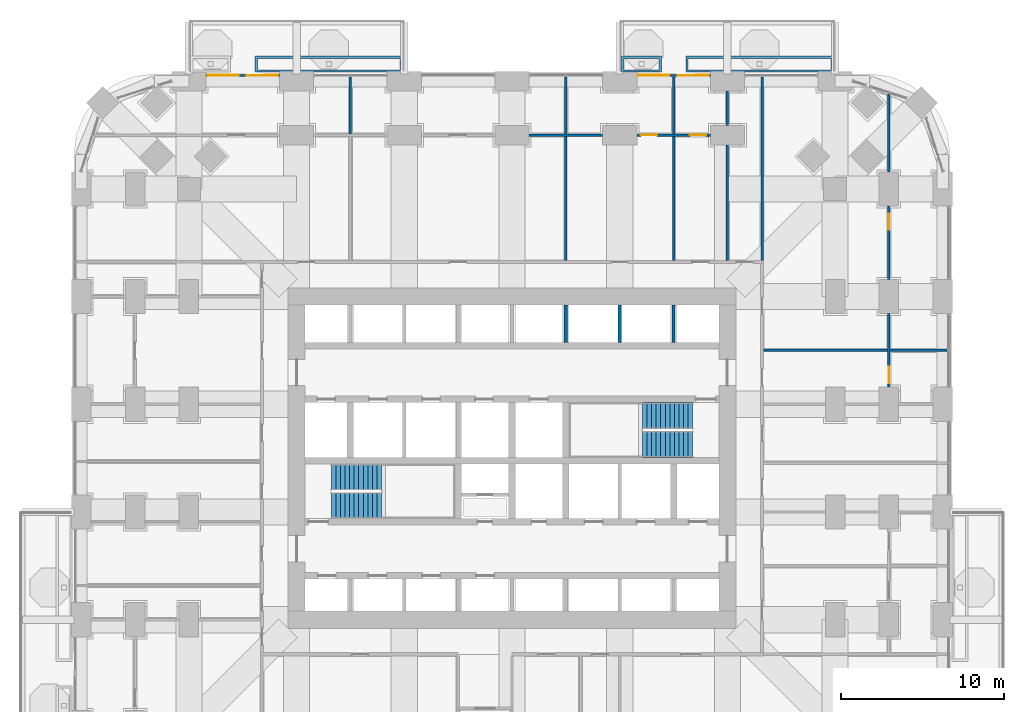
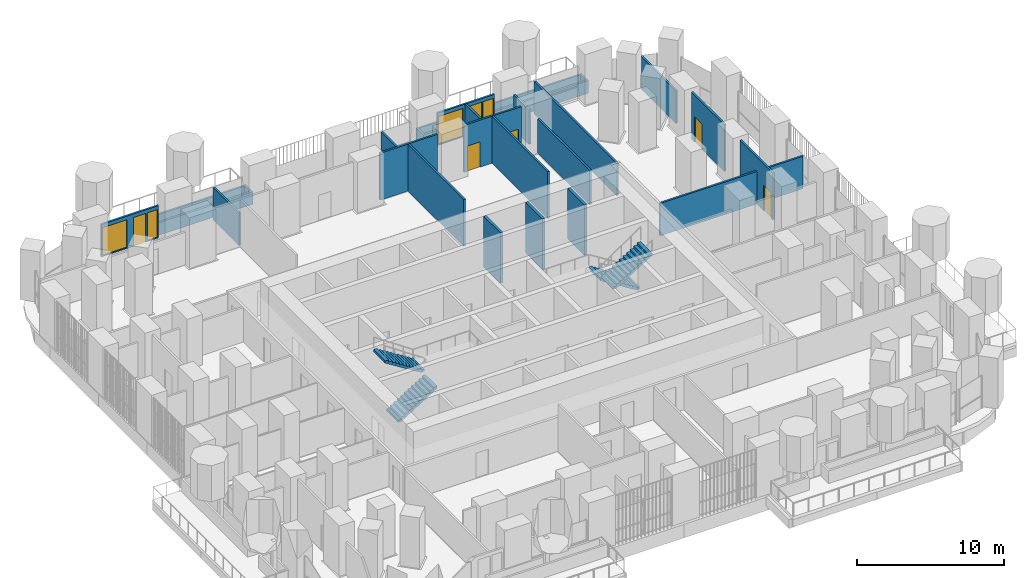
# One storey, part 22 of 27: 22 walls, 6 doors, 4 stair flights, 4 windows, 10 openings, 2 elements without a shape of their own.
"""IFC4 building model written with IfcOpenShell, lengths in metres."""

from ifc_helpers import new_model, si_unit, direction, frame, frame_2d, origin, place, context, subcontext, project, spatial, polyline, rectangle, outline, extrude, material, layer, layer_set, type_object, element, fill, aggregate, save


model = new_model("IFC4")

# Units and contexts
model_context = context("Model", 3, precision=1e-05, world=origin(), true_north=direction((0.0, 1.0)))
body_context = subcontext(model_context, "Body", "Model", "MODEL_VIEW")
ifc_project = project(units=[si_unit("LENGTHUNIT", "METRE"), si_unit("AREAUNIT", "SQUARE_METRE"), si_unit("VOLUMEUNIT", "CUBIC_METRE"), si_unit("PLANEANGLEUNIT", "RADIAN"), si_unit("MASSUNIT", "GRAM", prefix="KILO")], contexts=[model_context])

# Site, building, storey
site_placement = place(None, origin())
site = spatial("IfcSite", under=ifc_project, at=site_placement, CompositionType="ELEMENT")
building_placement = place(site_placement, origin())
building = spatial("IfcBuilding", under=site, at=building_placement, Name="Cobogo Forest Laboratory Tower", CompositionType="ELEMENT")
storey_placement = place(building_placement, frame((0.0, 0.0, 54.89990234375)))
storey = spatial("IfcBuildingStorey", under=building, at=storey_placement, Name="L12", CompositionType="ELEMENT", Elevation=54.89990234375)

# Wall, openings, door, windows
ifc_material_1 = material(Name="Aluminium framed glazed screen", Category="aluminium")
ifc_layer_1 = layer(ifc_material_1, 0.14990234375)
ifc_layer_set_1 = layer_set([ifc_layer_1], Name="GS1 glazed door screen 150")
wall_type_1 = type_object("IfcWallType", Name="GS1 glazed door screen 150", PredefinedType="SOLIDWALL", material=ifc_layer_set_1)
wall_1_placement = place(storey_placement, frame((38.550048828125, 46.550048828125, 0.0), z_axis=(0.0, 0.0, 1.0), x_axis=(-1.0, 0.0, 0.0)))
wall_1 = element("IfcWall", 1, at=wall_1_placement, inside=storey, type_object=wall_type_1, Name="Door screen BAL-N2 L12", PredefinedType="SOLIDWALL", context=body_context, shape_type="SweptSolid", body=[
    extrude(rectangle(XDim=4.5, YDim=0.14990234375, at=frame_2d((2.25, 0.0))), origin(), (0.0, 0.0, 1.0), 2.7001953125),
])
opening_1_placement = place(wall_1_placement, frame((1.0, 0.0, 0.0)))
opening_1 = element("IfcOpeningElement", 2, at=opening_1_placement, cuts=wall_1, Name="Opening L12-D51", PredefinedType="OPENING", context=body_context, shape_type="SweptSolid", body=[
    extrude(rectangle(XDim=1.0, YDim=2.39990234375, at=frame_2d((0.5, 1.199951171875))), frame((0.0, 0.0849609375, 0.0), z_axis=(0.0, -1.0, 0.0), x_axis=(1.0, 0.0, 0.0)), (0.0, 0.0, 1.0), 0.169921875),
])
opening_2_placement = place(wall_1_placement, frame((0.10009765625, 0.0, 0.10009765625)))
opening_2 = element("IfcOpeningElement", 3, at=opening_2_placement, cuts=wall_1, Name="Opening L12-W12", PredefinedType="OPENING", context=body_context, shape_type="SweptSolid", body=[
    extrude(rectangle(XDim=0.800048828125, YDim=2.300048828125, at=frame_2d((0.39990234375, 1.14990234375))), frame((0.0, 0.0849609375, 0.0), z_axis=(0.0, -1.0, 0.0), x_axis=(1.0, 0.0, 0.0)), (0.0, 0.0, 1.0), 0.169921875),
])
opening_3_placement = place(wall_1_placement, frame((2.5, 0.0, 0.10009765625)))
opening_3 = element("IfcOpeningElement", 4, at=opening_3_placement, cuts=wall_1, Name="Opening L12-W11", PredefinedType="OPENING", context=body_context, shape_type="SweptSolid", body=[
    extrude(rectangle(XDim=1.89990234375, YDim=2.300048828125, at=frame_2d((0.949951171875, 1.14990234375))), frame((0.0, 0.0849609375, 0.0), z_axis=(0.0, -1.0, 0.0), x_axis=(1.0, 0.0, 0.0)), (0.0, 0.0, 1.0), 0.169921875),
])
ifc_material_2 = material(Name="Aluminium glazed door", Category="aluminium")
door_type_1 = type_object("IfcDoorType", Name="DB1 balcony door 1000 glazed", OperationType="SINGLE_SWING_LEFT", PredefinedType="DOOR", material=ifc_material_2)
door_1_placement = place(opening_1_placement, origin())
door_1 = element("IfcDoor", 5, at=door_1_placement, inside=storey, type_object=door_type_1, Name="Door L12-BAL-N2", OperationType="SINGLE_SWING_LEFT", OverallHeight=2.39990234375, OverallWidth=1.0, PredefinedType="DOOR", context=body_context, shape_type="SweptSolid", body=[
    extrude(rectangle(XDim=1.0, YDim=2.39990234375, at=frame_2d((0.5, 1.199951171875))), frame((0.0, 0.02490234375, 0.0), z_axis=(0.0, -1.0, 0.0), x_axis=(1.0, 0.0, 0.0)), (0.0, 0.0, 1.0), 0.050048828125),
])
fill(opening_1, door_1)
ifc_material_3 = material(Name="Aluminium framed glazing", Category="aluminium")
window_type_1 = type_object("IfcWindowType", Name="WG3 fixed glazed light 1900x2300", PartitioningType="SINGLE_PANEL", PredefinedType="WINDOW", material=ifc_material_3)
window_1_placement = place(opening_3_placement, origin())
window_1 = element("IfcWindow", 6, at=window_1_placement, inside=storey, type_object=window_type_1, Name="Window L12-BAL-N2-2", OverallHeight=2.300048828125, OverallWidth=1.89990234375, PartitioningType="SINGLE_PANEL", PredefinedType="WINDOW", context=body_context, shape_type="SweptSolid", body=[
    extrude(rectangle(XDim=1.89990234375, YDim=2.300048828125, at=frame_2d((0.949951171875, 1.14990234375))), frame((0.0, 0.030029296875, 0.0), z_axis=(0.0, -1.0, 0.0), x_axis=(1.0, 0.0, 0.0)), (0.0, 0.0, 1.0), 0.06005859375),
])
fill(opening_3, window_1)
window_type_2 = type_object("IfcWindowType", Name="WG4 fixed glazed light 800x2300", PartitioningType="SINGLE_PANEL", PredefinedType="WINDOW", material=ifc_material_3)
window_2_placement = place(opening_2_placement, origin())
window_2 = element("IfcWindow", 7, at=window_2_placement, inside=storey, type_object=window_type_2, Name="Window L12-BAL-N2-1", OverallHeight=2.300048828125, OverallWidth=0.800048828125, PartitioningType="SINGLE_PANEL", PredefinedType="WINDOW", context=body_context, shape_type="SweptSolid", body=[
    extrude(rectangle(XDim=0.800048828125, YDim=2.300048828125, at=frame_2d((0.39990234375, 1.14990234375))), frame((0.0, 0.030029296875, 0.0), z_axis=(0.0, -1.0, 0.0), x_axis=(1.0, 0.0, 0.0)), (0.0, 0.0, 1.0), 0.06005859375),
])
fill(opening_2, window_2)

wall_2_placement = place(storey_placement, frame((12.14990234375, 46.550048828125, 0.0), z_axis=(0.0, 0.0, 1.0), x_axis=(-1.0, 0.0, 0.0)))
wall_2 = element("IfcWall", 8, at=wall_2_placement, inside=storey, type_object=wall_type_1, Name="Door screen BAL-N1 L12", PredefinedType="SOLIDWALL", context=body_context, shape_type="SweptSolid", body=[
    extrude(rectangle(XDim=4.5, YDim=0.14990234375, at=frame_2d((2.25, 0.0))), origin(), (0.0, 0.0, 1.0), 2.7001953125),
])
opening_4_placement = place(wall_2_placement, frame((1.0, 0.0, 0.0)))
opening_4 = element("IfcOpeningElement", 9, at=opening_4_placement, cuts=wall_2, Name="Opening L12-D50", PredefinedType="OPENING", context=body_context, shape_type="SweptSolid", body=[
    extrude(rectangle(XDim=1.0, YDim=2.39990234375, at=frame_2d((0.5, 1.199951171875))), frame((0.0, 0.0849609375, 0.0), z_axis=(0.0, -1.0, 0.0), x_axis=(1.0, 0.0, 0.0)), (0.0, 0.0, 1.0), 0.169921875),
])
opening_5_placement = place(wall_2_placement, frame((0.10009765625, 0.0, 0.10009765625)))
opening_5 = element("IfcOpeningElement", 10, at=opening_5_placement, cuts=wall_2, Name="Opening L12-W10", PredefinedType="OPENING", context=body_context, shape_type="SweptSolid", body=[
    extrude(rectangle(XDim=0.800048828125, YDim=2.300048828125, at=frame_2d((0.39990234375, 1.14990234375))), frame((0.0, 0.0849609375, 0.0), z_axis=(0.0, -1.0, 0.0), x_axis=(1.0, 0.0, 0.0)), (0.0, 0.0, 1.0), 0.169921875),
])
opening_6_placement = place(wall_2_placement, frame((2.5, 0.0, 0.10009765625)))
opening_6 = element("IfcOpeningElement", 11, at=opening_6_placement, cuts=wall_2, Name="Opening L12-W09", PredefinedType="OPENING", context=body_context, shape_type="SweptSolid", body=[
    extrude(rectangle(XDim=1.89990234375, YDim=2.300048828125, at=frame_2d((0.949951171875, 1.14990234375))), frame((0.0, 0.0849609375, 0.0), z_axis=(0.0, -1.0, 0.0), x_axis=(1.0, 0.0, 0.0)), (0.0, 0.0, 1.0), 0.169921875),
])
door_2_placement = place(opening_4_placement, origin())
door_2 = element("IfcDoor", 12, at=door_2_placement, inside=storey, type_object=door_type_1, Name="Door L12-BAL-N1", OperationType="SINGLE_SWING_LEFT", OverallHeight=2.39990234375, OverallWidth=1.0, PredefinedType="DOOR", context=body_context, shape_type="SweptSolid", body=[
    extrude(rectangle(XDim=1.0, YDim=2.39990234375, at=frame_2d((0.5, 1.199951171875))), frame((0.0, 0.02490234375, 0.0), z_axis=(0.0, -1.0, 0.0), x_axis=(1.0, 0.0, 0.0)), (0.0, 0.0, 1.0), 0.050048828125),
])
fill(opening_4, door_2)
window_3_placement = place(opening_6_placement, origin())
window_3 = element("IfcWindow", 13, at=window_3_placement, inside=storey, type_object=window_type_1, Name="Window L12-BAL-N1-2", OverallHeight=2.300048828125, OverallWidth=1.89990234375, PartitioningType="SINGLE_PANEL", PredefinedType="WINDOW", context=body_context, shape_type="SweptSolid", body=[
    extrude(rectangle(XDim=1.89990234375, YDim=2.300048828125, at=frame_2d((0.949951171875, 1.14990234375))), frame((0.0, 0.030029296875, 0.0), z_axis=(0.0, -1.0, 0.0), x_axis=(1.0, 0.0, 0.0)), (0.0, 0.0, 1.0), 0.06005859375),
])
fill(opening_6, window_3)
window_4_placement = place(opening_5_placement, origin())
window_4 = element("IfcWindow", 14, at=window_4_placement, inside=storey, type_object=window_type_2, Name="Window L12-BAL-N1-1", OverallHeight=2.300048828125, OverallWidth=0.800048828125, PartitioningType="SINGLE_PANEL", PredefinedType="WINDOW", context=body_context, shape_type="SweptSolid", body=[
    extrude(rectangle(XDim=0.800048828125, YDim=2.300048828125, at=frame_2d((0.39990234375, 1.14990234375))), frame((0.0, 0.030029296875, 0.0), z_axis=(0.0, -1.0, 0.0), x_axis=(1.0, 0.0, 0.0)), (0.0, 0.0, 1.0), 0.06005859375),
])
fill(opening_5, window_4)

# Wall
ifc_material_4 = material(Name="Gypsum board on steel studs", Category="steel")
ifc_layer_2 = layer(ifc_material_4, 0.14990234375)
ifc_layer_set_2 = layer_set([ifc_layer_2], Name="PT1 laboratory partition 150")
wall_type_2 = type_object("IfcWallType", Name="PT1 laboratory partition 150", PredefinedType="PARTITIONING", material=ifc_layer_set_2)
wall_3_placement = place(storey_placement, frame((41.72509765625, 46.469970703125, 0.0), z_axis=(0.0, 0.0, 1.0), x_axis=(0.0, -1.0, 0.0)))
element("IfcWall", 15, at=wall_3_placement, inside=storey, type_object=wall_type_2, Name="Partition PW-NE L12", PredefinedType="PARTITIONING", context=body_context, shape_type="SweptSolid", body=[
    extrude(rectangle(XDim=11.244873046875, YDim=0.14990234375, at=frame_2d((5.62255859375, 0.0))), origin(), (0.0, 0.0, 1.0), 2.7001953125),
])

# Wall, opening, door
wall_4_placement = place(storey_placement, frame((49.5, 27.449951171875, 0.0), z_axis=(0.0, 0.0, 1.0), x_axis=(0.0, 1.0, 0.0)))
wall_4 = element("IfcWall", 16, at=wall_4_placement, inside=storey, type_object=wall_type_2, Name="Partition STRIP-E-3 L12", PredefinedType="PARTITIONING", context=body_context, shape_type="SweptSolid", body=[
    extrude(rectangle(XDim=4.5, YDim=0.14990234375, at=frame_2d((2.25, 0.0))), origin(), (0.0, 0.0, 1.0), 3.900146484375),
])
opening_7_placement = place(wall_4_placement, frame((0.25, 0.0, 0.0)))
opening_7 = element("IfcOpeningElement", 17, at=opening_7_placement, cuts=wall_4, Name="Opening L12-D33", PredefinedType="OPENING", context=body_context, shape_type="SweptSolid", body=[
    extrude(rectangle(XDim=1.0, YDim=2.10009765625, at=frame_2d((0.5, 1.050048828125))), frame((0.0, 0.0849609375, 0.0), z_axis=(0.0, -1.0, 0.0), x_axis=(1.0, 0.0, 0.0)), (0.0, 0.0, 1.0), 0.169921875),
])
ifc_material_5 = material(Name="Timber fire door", Category="wood")
door_type_2 = type_object("IfcDoorType", Name="FD2 fire door 1000 EI2 30", OperationType="SINGLE_SWING_LEFT", PredefinedType="DOOR", material=ifc_material_5)
door_3_placement = place(opening_7_placement, origin())
door_3 = element("IfcDoor", 18, at=door_3_placement, inside=storey, type_object=door_type_2, Name="Door L12-E3W", OperationType="SINGLE_SWING_LEFT", OverallHeight=2.10009765625, OverallWidth=1.0, PredefinedType="DOOR", context=body_context, shape_type="SweptSolid", body=[
    extrude(rectangle(XDim=1.0, YDim=2.10009765625, at=frame_2d((0.5, 1.050048828125))), frame((0.0, 0.02490234375, 0.0), z_axis=(0.0, -1.0, 0.0), x_axis=(1.0, 0.0, 0.0)), (0.0, 0.0, 1.0), 0.050048828125),
])
fill(opening_7, door_3)

wall_5_placement = place(storey_placement, frame((49.5, 34.050048828125, 0.0), z_axis=(0.0, 0.0, 1.0), x_axis=(0.0, 1.0, 0.0)))
wall_5 = element("IfcWall", 19, at=wall_5_placement, inside=storey, type_object=wall_type_2, Name="Partition STRIP-E-4 L12", PredefinedType="PARTITIONING", context=body_context, shape_type="SweptSolid", body=[
    extrude(rectangle(XDim=4.5, YDim=0.14990234375, at=frame_2d((2.25, 0.0))), origin(), (0.0, 0.0, 1.0), 3.900146484375),
])
opening_8_placement = place(wall_5_placement, frame((3.0419921875, 0.0, 0.0)))
opening_8 = element("IfcOpeningElement", 20, at=opening_8_placement, cuts=wall_5, Name="Opening L12-D45", PredefinedType="OPENING", context=body_context, shape_type="SweptSolid", body=[
    extrude(rectangle(XDim=1.0, YDim=2.10009765625, at=frame_2d((0.5, 1.050048828125))), frame((0.0, 0.0849609375, 0.0), z_axis=(0.0, -1.0, 0.0), x_axis=(1.0, 0.0, 0.0)), (0.0, 0.0, 1.0), 0.169921875),
])
door_4_placement = place(opening_8_placement, origin())
door_4 = element("IfcDoor", 21, at=door_4_placement, inside=storey, type_object=door_type_2, Name="Door L12-E4W", OperationType="SINGLE_SWING_RIGHT", OverallHeight=2.10009765625, OverallWidth=1.0, PredefinedType="DOOR", context=body_context, shape_type="SweptSolid", body=[
    extrude(rectangle(XDim=1.0, YDim=2.10009765625, at=frame_2d((0.5, 1.050048828125))), frame((0.0, 0.02490234375, 0.0), z_axis=(0.0, -1.0, 0.0), x_axis=(1.0, 0.0, 0.0)), (0.0, 0.0, 1.0), 0.050048828125),
])
fill(opening_8, door_4)

# Walls
wall_6_placement = place(storey_placement, frame((49.5, 40.64990234375, 0.0), z_axis=(0.0, 0.0, 1.0), x_axis=(0.0, 1.0, 0.0)))
element("IfcWall", 22, at=wall_6_placement, inside=storey, type_object=wall_type_2, Name="Partition STRIP-E-5 L12", PredefinedType="PARTITIONING", context=body_context, shape_type="SweptSolid", body=[
    extrude(rectangle(XDim=4.774169921875, YDim=0.14990234375, at=frame_2d((2.38720703125, 0.0))), origin(), (0.0, 0.0, 1.0), 2.7001953125),
])
wall_7_placement = place(storey_placement, frame((53.070068359375, 29.699951171875, 0.0), z_axis=(0.0, 0.0, 1.0), x_axis=(-1.0, 0.0, 0.0)))
element("IfcWall", 23, at=wall_7_placement, inside=storey, type_object=wall_type_2, Name="Partition CUT-E29.7-1 L12", PredefinedType="PARTITIONING", context=body_context, shape_type="SweptSolid", body=[
    extrude(rectangle(XDim=11.2451171875, YDim=0.14990234375, at=frame_2d((5.62255859375, 0.0))), origin(), (0.0, 0.0, 1.0), 2.7001953125),
])

# Wall, openings, doors
wall_8_placement = place(storey_placement, frame((38.550048828125, 42.89990234375, 0.0), z_axis=(0.0, 0.0, 1.0), x_axis=(-1.0, 0.0, 0.0)))
wall_8 = element("IfcWall", 24, at=wall_8_placement, inside=storey, type_object=wall_type_2, Name="Partition STRIP-N-1 L12", PredefinedType="PARTITIONING", context=body_context, shape_type="SweptSolid", body=[
    extrude(rectangle(XDim=4.5, YDim=0.14990234375, at=frame_2d((2.25, 0.0))), origin(), (0.0, 0.0, 1.0), 3.900146484375),
])
opening_9_placement = place(wall_8_placement, frame((3.25, 0.0, 0.0)))
opening_9 = element("IfcOpeningElement", 25, at=opening_9_placement, cuts=wall_8, Name="Opening L12-D48", PredefinedType="OPENING", context=body_context, shape_type="SweptSolid", body=[
    extrude(rectangle(XDim=1.0, YDim=2.10009765625, at=frame_2d((0.5, 1.050048828125))), frame((0.0, 0.0849609375, 0.0), z_axis=(0.0, -1.0, 0.0), x_axis=(1.0, 0.0, 0.0)), (0.0, 0.0, 1.0), 0.169921875),
])
opening_10_placement = place(wall_8_placement, frame((0.25, 0.0, 0.0)))
opening_10 = element("IfcOpeningElement", 26, at=opening_10_placement, cuts=wall_8, Name="Opening L12-D49", PredefinedType="OPENING", context=body_context, shape_type="SweptSolid", body=[
    extrude(rectangle(XDim=1.0, YDim=2.10009765625, at=frame_2d((0.5, 1.050048828125))), frame((0.0, 0.0849609375, 0.0), z_axis=(0.0, -1.0, 0.0), x_axis=(1.0, 0.0, 0.0)), (0.0, 0.0, 1.0), 0.169921875),
])
door_5_placement = place(opening_9_placement, origin())
door_5 = element("IfcDoor", 27, at=door_5_placement, inside=storey, type_object=door_type_2, Name="Door L12-N3W", OperationType="SINGLE_SWING_RIGHT", OverallHeight=2.10009765625, OverallWidth=1.0, PredefinedType="DOOR", context=body_context, shape_type="SweptSolid", body=[
    extrude(rectangle(XDim=1.0, YDim=2.10009765625, at=frame_2d((0.5, 1.050048828125))), frame((0.0, 0.02490234375, 0.0), z_axis=(0.0, -1.0, 0.0), x_axis=(1.0, 0.0, 0.0)), (0.0, 0.0, 1.0), 0.050048828125),
])
fill(opening_9, door_5)
door_6_placement = place(opening_10_placement, origin())
door_6 = element("IfcDoor", 28, at=door_6_placement, inside=storey, type_object=door_type_2, Name="Door L12-N4W", OperationType="SINGLE_SWING_LEFT", OverallHeight=2.10009765625, OverallWidth=1.0, PredefinedType="DOOR", context=body_context, shape_type="SweptSolid", body=[
    extrude(rectangle(XDim=1.0, YDim=2.10009765625, at=frame_2d((0.5, 1.050048828125))), frame((0.0, 0.02490234375, 0.0), z_axis=(0.0, -1.0, 0.0), x_axis=(1.0, 0.0, 0.0)), (0.0, 0.0, 1.0), 0.050048828125),
])
fill(opening_10, door_6)

# Walls
wall_9_placement = place(storey_placement, frame((31.949951171875, 42.89990234375, 0.0), z_axis=(0.0, 0.0, 1.0), x_axis=(-1.0, 0.0, 0.0)))
element("IfcWall", 29, at=wall_9_placement, inside=storey, type_object=wall_type_2, Name="Partition STRIP-N-2 L12", PredefinedType="PARTITIONING", context=body_context, shape_type="SweptSolid", body=[
    extrude(rectangle(XDim=4.5, YDim=0.14990234375, at=frame_2d((2.25, 0.0))), origin(), (0.0, 0.0, 1.0), 3.900146484375),
])
for number, where, z_axis, x_axis, name in (
    (30, (16.5, 46.469970703125, 0.0), (0.0, 0.0, 1.0), (0.0, -1.0, 0.0), "Partition CUT-N16.5a-1 L12"),
    (31, (29.699951171875, 46.469970703125, 0.0), (0.0, 0.0, 1.0), (0.0, -1.0, 0.0), "Partition CUT-N29.7a-1 L12"),
):
    element("IfcWall", number, at=place(storey_placement, frame(where, z_axis=z_axis, x_axis=x_axis)), inside=storey, type_object=wall_type_2, Name=name, PredefinedType="PARTITIONING", context=body_context, shape_type="SweptSolid", body=[
        extrude(rectangle(XDim=3.494873046875, YDim=0.14990234375, at=frame_2d((1.74755859375, 0.0))), origin(), (0.0, 0.0, 1.0), 2.7001953125),
    ])
wall_10_placement = place(storey_placement, frame((29.699951171875, 42.824951171875, 0.0), z_axis=(0.0, 0.0, 1.0), x_axis=(0.0, -1.0, 0.0)))
element("IfcWall", 32, at=wall_10_placement, inside=storey, type_object=wall_type_2, Name="Partition CUT-N29.7b-1 L12", PredefinedType="PARTITIONING", context=body_context, shape_type="SweptSolid", body=[
    extrude(rectangle(XDim=7.599853515625, YDim=0.14990234375, at=frame_2d((3.7998046875, 0.0))), origin(), (0.0, 0.0, 1.0), 3.900146484375),
])
wall_11_placement = place(storey_placement, frame((36.300048828125, 46.469970703125, 0.0), z_axis=(0.0, 0.0, 1.0), x_axis=(0.0, -1.0, 0.0)))
element("IfcWall", 33, at=wall_11_placement, inside=storey, type_object=wall_type_2, Name="Partition CUT-N36.3a-1 L12", PredefinedType="PARTITIONING", context=body_context, shape_type="SweptSolid", body=[
    extrude(rectangle(XDim=3.494873046875, YDim=0.14990234375, at=frame_2d((1.74755859375, 0.0))), origin(), (0.0, 0.0, 1.0), 2.7001953125),
])
wall_12_placement = place(storey_placement, frame((36.300048828125, 42.824951171875, 0.0), z_axis=(0.0, 0.0, 1.0), x_axis=(0.0, -1.0, 0.0)))
element("IfcWall", 34, at=wall_12_placement, inside=storey, type_object=wall_type_2, Name="Partition CUT-N36.3b-1 L12", PredefinedType="PARTITIONING", context=body_context, shape_type="SweptSolid", body=[
    extrude(rectangle(XDim=7.599853515625, YDim=0.14990234375, at=frame_2d((3.7998046875, 0.0))), origin(), (0.0, 0.0, 1.0), 3.900146484375),
])
wall_13_placement = place(storey_placement, frame((39.60009765625, 45.60009765625, 0.0), z_axis=(0.0, 0.0, 1.0), x_axis=(0.0, -1.0, 0.0)))
element("IfcWall", 35, at=wall_13_placement, inside=storey, type_object=wall_type_2, Name="Partition CUT-N39.6-1 L12", PredefinedType="PARTITIONING", context=body_context, shape_type="SweptSolid", body=[
    extrude(rectangle(XDim=2.10009765625, YDim=0.14990234375, at=frame_2d((1.050048828125, 0.0))), origin(), (0.0, 0.0, 1.0), 2.85009765625),
])
wall_14_placement = place(storey_placement, frame((39.60009765625, 42.300048828125, 0.0), z_axis=(0.0, 0.0, 1.0), x_axis=(0.0, -1.0, 0.0)))
element("IfcWall", 36, at=wall_14_placement, inside=storey, type_object=wall_type_2, Name="Partition CUT-N39.6-2 L12", PredefinedType="PARTITIONING", context=body_context, shape_type="SweptSolid", body=[
    extrude(rectangle(XDim=7.074951171875, YDim=0.14990234375, at=frame_2d((3.53759765625, 0.0))), origin(), (0.0, 0.0, 1.0), 2.85009765625),
])
ifc_material_6 = material(Name="Concrete HA-40 (C40/50)", Category="concrete")
ifc_layer_3 = layer(ifc_material_6, 0.14990234375)
ifc_layer_set_3 = layer_set([ifc_layer_3], Name="Planter box 1000x1050")
wall_type_3 = type_object("IfcWallType", Name="Planter box 1000x1050", PredefinedType="USERDEFINED", material=ifc_layer_set_3)
wall_15_placement = place(storey_placement, origin())
element("IfcWall", 37, at=wall_15_placement, inside=storey, type_object=wall_type_3, Name="Planter BAL-N1-2 L12", ObjectType="PLANTER", PredefinedType="USERDEFINED", context=body_context, shape_type="SweptSolid", body=[
    extrude(outline(polyline([(10.64990234375, 46.75), (19.699951171875, 46.75), (19.699951171875, 47.75), (10.64990234375, 47.75), (10.64990234375, 46.75)]), holes=[polyline([(10.800048828125, 46.89990234375), (19.550048828125, 46.89990234375), (19.550048828125, 47.60009765625), (10.800048828125, 47.60009765625), (10.800048828125, 46.89990234375)])]), origin(), (0.0, 0.0, 1.0), 1.050048828125),
])
wall_16_placement = place(storey_placement, origin())
element("IfcWall", 38, at=wall_16_placement, inside=storey, type_object=wall_type_3, Name="Planter BAL-N2-1 L12", ObjectType="PLANTER", PredefinedType="USERDEFINED", context=body_context, shape_type="SweptSolid", body=[
    extrude(outline(polyline([(33.10009765625, 46.75), (35.550048828125, 46.75), (35.550048828125, 47.75), (33.10009765625, 47.75), (33.10009765625, 46.75)]), holes=[polyline([(33.25, 46.89990234375), (35.39990234375, 46.89990234375), (35.39990234375, 47.60009765625), (33.25, 47.60009765625), (33.25, 46.89990234375)])]), origin(), (0.0, 0.0, 1.0), 1.050048828125),
])
wall_17_placement = place(storey_placement, origin())
element("IfcWall", 39, at=wall_17_placement, inside=storey, type_object=wall_type_3, Name="Planter BAL-N2-2 L12", ObjectType="PLANTER", PredefinedType="USERDEFINED", context=body_context, shape_type="SweptSolid", body=[
    extrude(outline(polyline([(37.050048828125, 46.75), (46.10009765625, 46.75), (46.10009765625, 47.75), (37.050048828125, 47.75), (37.050048828125, 46.75)]), holes=[polyline([(37.199951171875, 46.89990234375), (45.949951171875, 46.89990234375), (45.949951171875, 47.60009765625), (37.199951171875, 47.60009765625), (37.199951171875, 46.89990234375)])]), origin(), (0.0, 0.0, 1.0), 1.050048828125),
])
ifc_material_7 = material(Name="Concrete block", Category="concrete")
ifc_layer_4 = layer(ifc_material_7, 0.199951171875)
ifc_layer_set_4 = layer_set([ifc_layer_4], Name="SW200 lift shaft separator 200")
wall_type_4 = type_object("IfcWallType", Name="SW200 lift shaft separator 200", PredefinedType="PARTITIONING", material=ifc_layer_set_4)
for number, where, z_axis, x_axis, name in (
    (40, (29.699951171875, 30.199951171875, 0.0), (0.0, 0.0, 1.0), (0.0, 1.0, 0.0), "Core wall SEP-N5 L12"),
    (41, (33.0, 30.199951171875, 0.0), (0.0, 0.0, 1.0), (0.0, 1.0, 0.0), "Core wall SEP-N6 L12"),
    (42, (36.300048828125, 30.199951171875, 0.0), (0.0, 0.0, 1.0), (0.0, 1.0, 0.0), "Core wall SEP-N7 L12"),
):
    element("IfcWall", number, at=place(storey_placement, frame(where, z_axis=z_axis, x_axis=x_axis)), inside=storey, type_object=wall_type_4, Name=name, PredefinedType="PARTITIONING", context=body_context, shape_type="SweptSolid", body=[
        extrude(rectangle(XDim=2.275146484375, YDim=0.199951171875, at=frame_2d((1.1376953125, 0.0))), origin(), (0.0, 0.0, 1.0), 4.2001953125),
    ])

# Stair, stair flights
ifc_material_8 = material(Name="Precast concrete HA-40 (C40/50)", Category="concrete")
stair_type = type_object("IfcStairType", Name="ST24 exit stair 24 risers", PredefinedType="HALF_TURN_STAIR", material=ifc_material_8)
stair_1_placement = place(storey_placement, origin())
stair_1 = element("IfcStair", 43, at=stair_1_placement, inside=storey, type_object=stair_type, Name="Stair 1 L12 to L13", PredefinedType="HALF_TURN_STAIR")
stair_flight_type = type_object("IfcStairFlightType", Name="ST stair flight 280 going", PredefinedType="STRAIGHT", material=ifc_material_8)
stair_flight_1_placement = place(storey_placement, frame((15.324951171875, 20.199951171875, 0.0), z_axis=(0.0, 0.0, 1.0), x_axis=(1.0, 0.0, 0.0)))
stair_flight_1 = element("IfcStairFlight", 44, at=stair_flight_1_placement, type_object=stair_flight_type, Name="ST1 flight 1", NumberOfRisers=12, NumberOfTreads=11, PredefinedType="STRAIGHT", RiserHeight=0.175, TreadLength=0.28, context=body_context, shape_type="SweptSolid", body=[
    extrude(outline(polyline([(0.0, 0.0), (0.0, 0.175048828125), (0.280029296875, 0.175048828125), (0.280029296875, 0.35009765625), (0.56005859375, 0.35009765625), (0.56005859375, 0.52490234375), (0.840087890625, 0.52490234375), (0.840087890625, 0.699951171875), (1.1201171875, 0.699951171875), (1.1201171875, 0.875), (1.39990234375, 0.875), (1.39990234375, 1.050048828125), (1.679931640625, 1.050048828125), (1.679931640625, 1.22509765625), (1.9599609375, 1.22509765625), (1.9599609375, 1.39990234375), (2.239990234375, 1.39990234375), (2.239990234375, 1.574951171875), (2.52001953125, 1.574951171875), (2.52001953125, 1.75), (2.800048828125, 1.75), (2.800048828125, 1.925048828125), (3.080078125, 1.925048828125), (3.080078125, 2.10009765625), (3.080078125, 1.748291015625), (0.28271484375, 0.0), (0.0, 0.0)])), frame((0.0, 0.800048828125, 0.0), z_axis=(0.0, -1.0, 0.0), x_axis=(1.0, 0.0, 0.0)), (0.0, 0.0, 1.0), 1.60009765625),
])
stair_flight_2_placement = place(storey_placement, frame((18.405029296875, 21.949951171875, 2.10009765625), z_axis=(0.0, 0.0, 1.0), x_axis=(-1.0, 0.0, 0.0)))
stair_flight_2 = element("IfcStairFlight", 45, at=stair_flight_2_placement, type_object=stair_flight_type, Name="ST1 flight 2", NumberOfRisers=12, NumberOfTreads=11, PredefinedType="STRAIGHT", RiserHeight=0.175, TreadLength=0.28, context=body_context, shape_type="SweptSolid", body=[
    extrude(outline(polyline([(0.0, 0.0), (0.0, 0.175048828125), (0.280029296875, 0.175048828125), (0.280029296875, 0.35009765625), (0.56005859375, 0.35009765625), (0.56005859375, 0.52490234375), (0.840087890625, 0.52490234375), (0.840087890625, 0.699951171875), (1.1201171875, 0.699951171875), (1.1201171875, 0.875), (1.39990234375, 0.875), (1.39990234375, 1.050048828125), (1.679931640625, 1.050048828125), (1.679931640625, 1.22509765625), (1.9599609375, 1.22509765625), (1.9599609375, 1.39990234375), (2.239990234375, 1.39990234375), (2.239990234375, 1.574951171875), (2.52001953125, 1.574951171875), (2.52001953125, 1.75), (2.800048828125, 1.75), (2.800048828125, 1.925048828125), (3.080078125, 1.925048828125), (3.080078125, 2.10009765625), (3.080078125, 1.748291015625), (0.28271484375, 0.0), (0.0, 0.0)])), frame((0.0, 0.800048828125, 0.0), z_axis=(0.0, -1.0, 0.0), x_axis=(1.0, 0.0, 0.0)), (0.0, 0.0, 1.0), 1.60009765625),
])
aggregate(stair_1, [stair_flight_1, stair_flight_2])

stair_2_placement = place(storey_placement, origin())
stair_2 = element("IfcStair", 46, at=stair_2_placement, inside=storey, type_object=stair_type, Name="Stair 2 L12 to L13", PredefinedType="HALF_TURN_STAIR")
stair_flight_3_placement = place(storey_placement, frame((37.47509765625, 25.699951171875, 0.0), z_axis=(0.0, 0.0, 1.0), x_axis=(-1.0, 0.0, 0.0)))
stair_flight_3 = element("IfcStairFlight", 47, at=stair_flight_3_placement, type_object=stair_flight_type, Name="ST2 flight 1", NumberOfRisers=12, NumberOfTreads=11, PredefinedType="STRAIGHT", RiserHeight=0.175, TreadLength=0.28, context=body_context, shape_type="SweptSolid", body=[
    extrude(outline(polyline([(0.0, 0.0), (0.0, 0.175048828125), (0.280029296875, 0.175048828125), (0.280029296875, 0.35009765625), (0.56005859375, 0.35009765625), (0.56005859375, 0.52490234375), (0.840087890625, 0.52490234375), (0.840087890625, 0.699951171875), (1.1201171875, 0.699951171875), (1.1201171875, 0.875), (1.39990234375, 0.875), (1.39990234375, 1.050048828125), (1.679931640625, 1.050048828125), (1.679931640625, 1.22509765625), (1.9599609375, 1.22509765625), (1.9599609375, 1.39990234375), (2.239990234375, 1.39990234375), (2.239990234375, 1.574951171875), (2.52001953125, 1.574951171875), (2.52001953125, 1.75), (2.800048828125, 1.75), (2.800048828125, 1.925048828125), (3.080078125, 1.925048828125), (3.080078125, 2.10009765625), (3.080078125, 1.748291015625), (0.28271484375, 0.0), (0.0, 0.0)])), frame((0.0, 0.800048828125, 0.0), z_axis=(0.0, -1.0, 0.0), x_axis=(1.0, 0.0, 0.0)), (0.0, 0.0, 1.0), 1.60009765625),
])
stair_flight_4_placement = place(storey_placement, frame((34.39501953125, 23.949951171875, 2.10009765625), z_axis=(0.0, 0.0, 1.0), x_axis=(1.0, 0.0, 0.0)))
stair_flight_4 = element("IfcStairFlight", 48, at=stair_flight_4_placement, type_object=stair_flight_type, Name="ST2 flight 2", NumberOfRisers=12, NumberOfTreads=11, PredefinedType="STRAIGHT", RiserHeight=0.175, TreadLength=0.28, context=body_context, shape_type="SweptSolid", body=[
    extrude(outline(polyline([(0.0, 0.0), (0.0, 0.175048828125), (0.280029296875, 0.175048828125), (0.280029296875, 0.35009765625), (0.56005859375, 0.35009765625), (0.56005859375, 0.52490234375), (0.840087890625, 0.52490234375), (0.840087890625, 0.699951171875), (1.1201171875, 0.699951171875), (1.1201171875, 0.875), (1.39990234375, 0.875), (1.39990234375, 1.050048828125), (1.679931640625, 1.050048828125), (1.679931640625, 1.22509765625), (1.9599609375, 1.22509765625), (1.9599609375, 1.39990234375), (2.239990234375, 1.39990234375), (2.239990234375, 1.574951171875), (2.52001953125, 1.574951171875), (2.52001953125, 1.75), (2.800048828125, 1.75), (2.800048828125, 1.925048828125), (3.080078125, 1.925048828125), (3.080078125, 2.10009765625), (3.080078125, 1.748291015625), (0.28271484375, 0.0), (0.0, 0.0)])), frame((0.0, 0.800048828125, 0.0), z_axis=(0.0, -1.0, 0.0), x_axis=(1.0, 0.0, 0.0)), (0.0, 0.0, 1.0), 1.60009765625),
])
aggregate(stair_2, [stair_flight_3, stair_flight_4])

save(model, "model.ifc")
